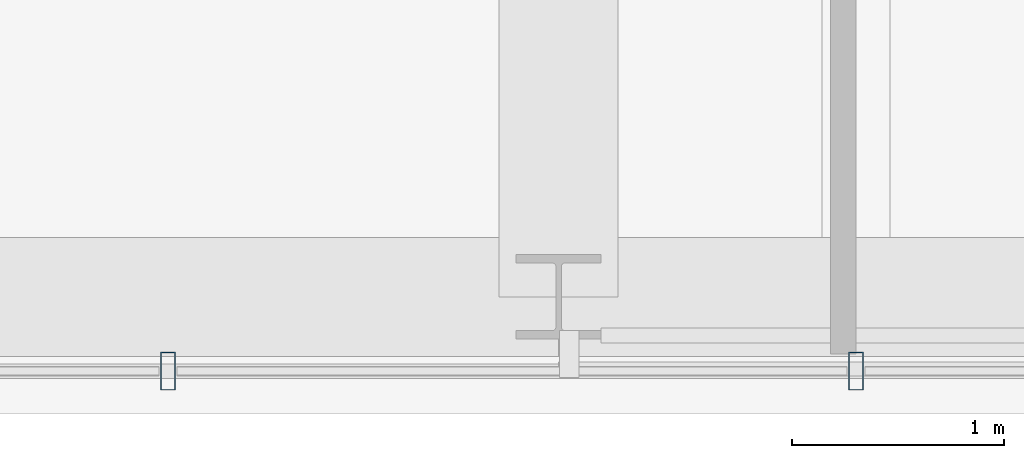
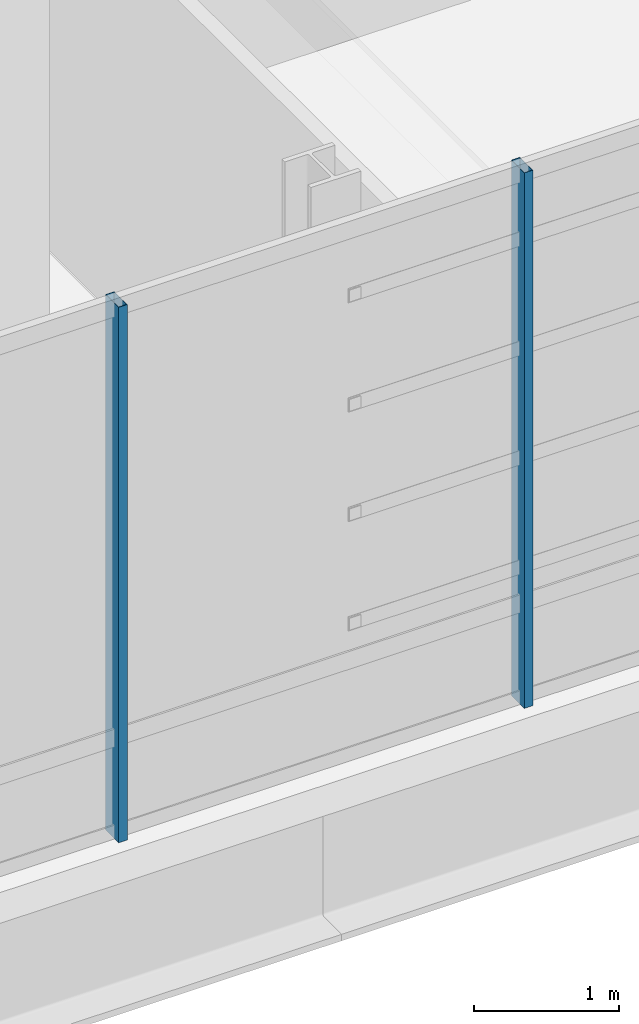
# One storey, part 7 of 45: 2 members, 1 element without a shape of its own.
"""IFC4 building model written with IfcOpenShell, lengths in metres."""

from ifc_helpers import new_model, si_unit, direction, frame, origin, origin_2d, place, context, subcontext, project, spatial, hollow_rectangle, extrude, material, material_profile, profile_set, type_object, element, aggregate, save


model = new_model("IFC4")

# Units and contexts
model_context = context("Model", 3, precision=1e-05, world=origin(), true_north=direction((0.0, 1.0)))
body_context = subcontext(model_context, "Body", "Model", "MODEL_VIEW")
ifc_project = project(units=[si_unit("LENGTHUNIT", "METRE"), si_unit("AREAUNIT", "SQUARE_METRE"), si_unit("VOLUMEUNIT", "CUBIC_METRE"), si_unit("PLANEANGLEUNIT", "RADIAN"), si_unit("MASSUNIT", "GRAM", prefix="KILO")], contexts=[model_context])

# Site, building, storey
site_placement = place(None, origin())
site = spatial("IfcSite", under=ifc_project, at=site_placement, CompositionType="ELEMENT")
building_placement = place(site_placement, origin())
building = spatial("IfcBuilding", under=site, at=building_placement, Name="Punatoya Terracotta Tower", CompositionType="ELEMENT")
storey_placement = place(building_placement, frame((0.0, 0.0, 339.0)))
storey = spatial("IfcBuildingStorey", under=building, at=storey_placement, Name="L80", CompositionType="ELEMENT", Elevation=339.0)

# Curtain wall, members
ifc_material_1 = material(Name="Aluminium 6063-T6 + Double Low-E Glass", Category="aluminium")
curtain_wall_type = type_object("IfcCurtainWallType", Name="CW-OBS", PredefinedType="NOTDEFINED", material=ifc_material_1)
curtain_wall_placement = place(storey_placement, origin())
curtain_wall = element("IfcCurtainWall", 1, at=curtain_wall_placement, inside=storey, type_object=curtain_wall_type, Name="L80 Curtain Wall CW-L80-S01-1", PredefinedType="NOTDEFINED")
ifc_material_2 = material(Name="Aluminium 6063-T6", Category="aluminium")
ifc_material_profile = material_profile(ifc_material_2, hollow_rectangle(XDim=0.070068359375, YDim=0.179931640625, WallThickness=0.00390625, at=origin_2d()))
ifc_profile_set = profile_set([ifc_material_profile], Name="Aluminium 6063-T6")
member_type = type_object("IfcMemberType", Name="CW-MUL-M3", PredefinedType="MULLION", material=ifc_profile_set)
member_1_placement = place(storey_placement, frame((-5.639404296875, -23.25, 0.0), z_axis=(0.0, 0.0, 1.0), x_axis=(1.0, 0.0, 0.0)))
member_1 = element("IfcMember", 2, at=member_1_placement, type_object=member_type, Name="CW-L80-S01-1 Mullion 05", PredefinedType="MULLION", context=body_context, shape_type="SweptSolid", body=[
    extrude(hollow_rectangle(XDim=0.070068359375, YDim=0.179931640625, WallThickness=0.00390625, at=origin_2d()), origin(), (0.0, 0.0, 1.0), 4.52001953125),
])
member_2_placement = place(storey_placement, frame((-2.39990234375, -23.25, 0.0), z_axis=(0.0, 0.0, 1.0), x_axis=(1.0, 0.0, 0.0)))
member_2 = element("IfcMember", 3, at=member_2_placement, type_object=member_type, Name="CW-L80-S01-1 Mullion 06", PredefinedType="MULLION", context=body_context, shape_type="SweptSolid", body=[
    extrude(hollow_rectangle(XDim=0.070068359375, YDim=0.179931640625, WallThickness=0.00390625, at=origin_2d()), origin(), (0.0, 0.0, 1.0), 4.52001953125),
])
aggregate(curtain_wall, [member_1, member_2])

save(model, "model.ifc")
